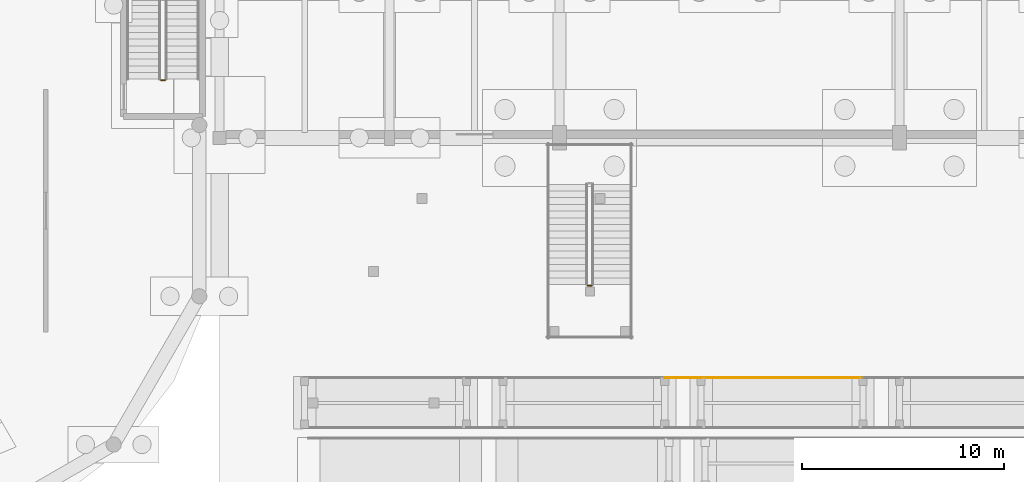
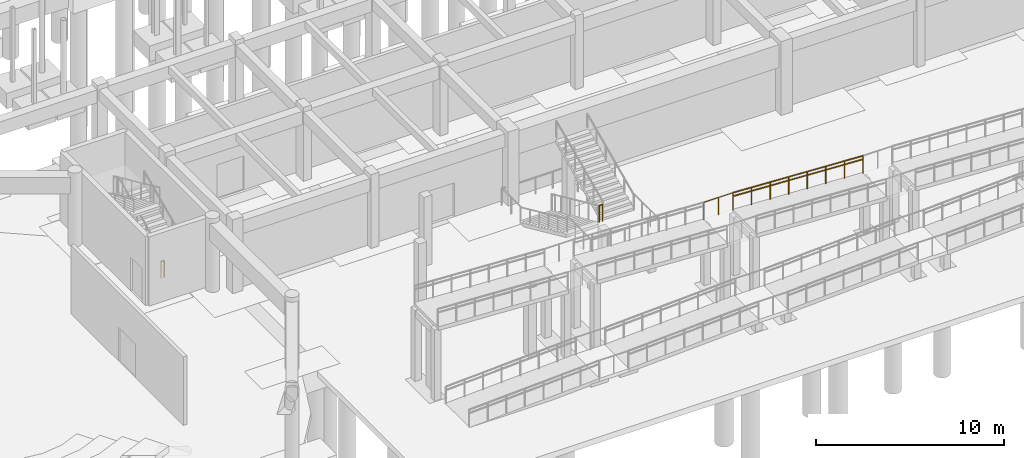
# One storey, part 68 of 80: 5 railings.
"""IFC4 building model written with IfcOpenShell, lengths in metres."""

from ifc_helpers import new_model, si_unit, direction, frame, origin, origin_2d, place, context, subcontext, project, spatial, circle, extrude, material, layer, layer_set, type_object, element, save


model = new_model("IFC4")

# Units and contexts
model_context = context("Model", 3, precision=1e-05, world=origin(), true_north=direction((0.0, 1.0)))
body_context = subcontext(model_context, "Body", "Model", "MODEL_VIEW")
ifc_project = project(units=[si_unit("LENGTHUNIT", "METRE"), si_unit("AREAUNIT", "SQUARE_METRE"), si_unit("VOLUMEUNIT", "CUBIC_METRE"), si_unit("PLANEANGLEUNIT", "RADIAN"), si_unit("MASSUNIT", "GRAM", prefix="KILO")], contexts=[model_context])

# Site, building, storey
site_placement = place(None, origin())
site = spatial("IfcSite", under=ifc_project, at=site_placement, CompositionType="ELEMENT")
building_placement = place(site_placement, origin())
building = spatial("IfcBuilding", under=site, at=building_placement, Name="Malvenik Polytechnic", CompositionType="ELEMENT")
storey_placement = place(building_placement, frame((0.0, 0.0, -4.800048828125)))
storey = spatial("IfcBuildingStorey", under=building, at=storey_placement, Name="B1", CompositionType="ELEMENT", Elevation=-4.800048828125)

# Railings
ifc_material_1 = material(Name="Galvanised powder-coated steel and laminated glass guard 1150mm", Category="steel")
ifc_layer_1 = layer(ifc_material_1, 0.070068359375)
ifc_layer_set_1 = layer_set([ifc_layer_1], Name="Galvanised powder-coated steel and laminated glass guard 1150mm")
railing_type_1 = type_object("IfcRailingType", Name="ARC-RL-BAL-1150", PredefinedType="BALUSTRADE", material=ifc_layer_set_1)
railing_1_placement = place(storey_placement, frame((57.39990234375, 9.739990234375, 4.0)))
element("IfcRailing", 1, at=railing_1_placement, inside=storey, type_object=railing_type_1, Name="Ramp Balustrade RB-05 #4N", PredefinedType="BALUSTRADE", context=body_context, shape_type="SweptSolid", body=[
    extrude(circle(Radius=0.02392578125, at=origin_2d()), frame((0.0, 0.0, 1.1259765625), z_axis=(0.998752946874, 0.0, -0.049925455535), x_axis=(0.0, 1.0, 0.0)), (0.0, 0.0, 1.0), 8.010009765625),
    extrude(circle(Radius=0.02099609375, at=origin_2d()), origin(), (0.0, 0.0, 1.0), 1.101806640625),
    extrude(circle(Radius=0.02099609375, at=origin_2d()), frame((1.142822265625, 0.0, -0.05712890625)), (0.0, 0.0, 1.0), 1.101806640625),
    extrude(circle(Radius=0.02099609375, at=origin_2d()), frame((2.28564453125, 0.0, -0.1142578125)), (0.0, 0.0, 1.0), 1.101806640625),
    extrude(circle(Radius=0.02099609375, at=origin_2d()), frame((3.428466796875, 0.0, -0.17138671875)), (0.0, 0.0, 1.0), 1.101806640625),
    extrude(circle(Radius=0.02099609375, at=origin_2d()), frame((4.571533203125, 0.0, -0.228515625)), (0.0, 0.0, 1.0), 1.101806640625),
    extrude(circle(Radius=0.02099609375, at=origin_2d()), frame((5.71435546875, 0.0, -0.28564453125)), (0.0, 0.0, 1.0), 1.101806640625),
    extrude(circle(Radius=0.02099609375, at=origin_2d()), frame((6.857177734375, 0.0, -0.3427734375)), (0.0, 0.0, 1.0), 1.101806640625),
    extrude(circle(Radius=0.02099609375, at=origin_2d()), frame((8.0, 0.0, -0.39990234375)), (0.0, 0.0, 1.0), 1.101806640625),
])
railing_2_placement = place(storey_placement, frame((55.60009765625, 9.739990234375, 4.0)))
element("IfcRailing", 2, at=railing_2_placement, inside=storey, type_object=railing_type_1, Name="Ramp Landing Balustrade RB-05 #4N", PredefinedType="BALUSTRADE", context=body_context, shape_type="SweptSolid", body=[
    extrude(circle(Radius=0.02392578125, at=origin_2d()), frame((0.0, 0.0, 1.1259765625), z_axis=(1.0, 0.0, 0.0), x_axis=(0.0, 1.0, 0.0)), (0.0, 0.0, 1.0), 1.7998046875),
    extrude(circle(Radius=0.02099609375, at=origin_2d()), origin(), (0.0, 0.0, 1.0), 1.101806640625),
    extrude(circle(Radius=0.02099609375, at=origin_2d()), frame((0.89990234375, 0.0, 0.0)), (0.0, 0.0, 1.0), 1.101806640625),
    extrude(circle(Radius=0.02099609375, at=origin_2d()), frame((1.7998046875, 0.0, 0.0)), (0.0, 0.0, 1.0), 1.101806640625),
])
ifc_material_2 = material(Name="Brushed stainless steel 1.4301 tubular handrail 50mm", Category="steel")
ifc_layer_2 = layer(ifc_material_2, 0.050048828125)
ifc_layer_set_2 = layer_set([ifc_layer_2], Name="Brushed stainless steel 1.4301 tubular handrail 50mm")
railing_type_2 = type_object("IfcRailingType", Name="ARC-RL-HR-920", PredefinedType="HANDRAIL", material=ifc_layer_set_2)
railing_3_placement = place(storey_placement, frame((57.39990234375, 9.739990234375, 4.0)))
element("IfcRailing", 3, at=railing_3_placement, inside=storey, type_object=railing_type_2, Name="Ramp Handrail RB-05 #4N", PredefinedType="HANDRAIL", context=body_context, shape_type="SweptSolid", body=[
    extrude(circle(Radius=0.02392578125, at=origin_2d()), frame((0.0, 0.0, 0.89599609375), z_axis=(0.998752946874, 0.0, -0.049925455535), x_axis=(0.0, 1.0, 0.0)), (0.0, 0.0, 1.0), 8.010009765625),
    extrude(circle(Radius=0.02099609375, at=origin_2d()), origin(), (0.0, 0.0, 1.0), 0.871826171875),
    extrude(circle(Radius=0.02099609375, at=origin_2d()), frame((1.142822265625, 0.0, -0.05712890625)), (0.0, 0.0, 1.0), 0.871826171875),
    extrude(circle(Radius=0.02099609375, at=origin_2d()), frame((2.28564453125, 0.0, -0.1142578125)), (0.0, 0.0, 1.0), 0.871826171875),
    extrude(circle(Radius=0.02099609375, at=origin_2d()), frame((3.428466796875, 0.0, -0.17138671875)), (0.0, 0.0, 1.0), 0.871826171875),
    extrude(circle(Radius=0.02099609375, at=origin_2d()), frame((4.571533203125, 0.0, -0.228515625)), (0.0, 0.0, 1.0), 0.871826171875),
    extrude(circle(Radius=0.02099609375, at=origin_2d()), frame((5.71435546875, 0.0, -0.28564453125)), (0.0, 0.0, 1.0), 0.871826171875),
    extrude(circle(Radius=0.02099609375, at=origin_2d()), frame((6.857177734375, 0.0, -0.3427734375)), (0.0, 0.0, 1.0), 0.871826171875),
    extrude(circle(Radius=0.02099609375, at=origin_2d()), frame((8.0, 0.0, -0.39990234375)), (0.0, 0.0, 1.0), 0.871826171875),
])
ifc_material_3 = material(Name="Painted galvanised steel stair well balustrade 1100mm", Category="steel")
ifc_layer_3 = layer(ifc_material_3, 0.050048828125)
ifc_layer_set_3 = layer_set([ifc_layer_3], Name="Painted galvanised steel stair well balustrade 1100mm")
railing_type_3 = type_object("IfcRailingType", Name="ARC-RL-STGD", PredefinedType="BALUSTRADE", material=ifc_layer_set_3)
railing_4_placement = place(storey_placement, frame((30.89990234375, 24.449951171875, 0.0)))
element("IfcRailing", 4, at=railing_4_placement, inside=storey, type_object=railing_type_3, Name="B1 ST-09 stair guard 4", PredefinedType="BALUSTRADE", context=body_context, shape_type="SweptSolid", body=[
    extrude(circle(Radius=0.02392578125, at=origin_2d()), frame((0.0, 0.0, 1.076171875), z_axis=(-1.0, 0.0, 0.0), x_axis=(0.0, -1.0, 0.0)), (0.0, 0.0, 1.0), 0.199951171875),
    extrude(circle(Radius=0.02099609375, at=origin_2d()), origin(), (0.0, 0.0, 1.0), 1.052001953125),
    extrude(circle(Radius=0.02099609375, at=origin_2d()), frame((-0.199951171875, 0.0, 0.0)), (0.0, 0.0, 1.0), 1.052001953125),
])
railing_5_placement = place(storey_placement, frame((51.800048828125, 14.300048828125, 2.400146484375)))
element("IfcRailing", 5, at=railing_5_placement, inside=storey, type_object=railing_type_3, Name="B1 ST-10 stair guard 2", PredefinedType="BALUSTRADE", context=body_context, shape_type="SweptSolid", body=[
    extrude(circle(Radius=0.02392578125, at=origin_2d()), frame((0.0, 0.0, 1.076171875), z_axis=(1.0, 0.0, 0.0), x_axis=(0.0, 1.0, 0.0)), (0.0, 0.0, 1.0), 0.199951171875),
    extrude(circle(Radius=0.02099609375, at=origin_2d()), origin(), (0.0, 0.0, 1.0), 1.052001953125),
    extrude(circle(Radius=0.02099609375, at=origin_2d()), frame((0.199951171875, 0.0, 0.0)), (0.0, 0.0, 1.0), 1.052001953125),
])

save(model, "model.ifc")
